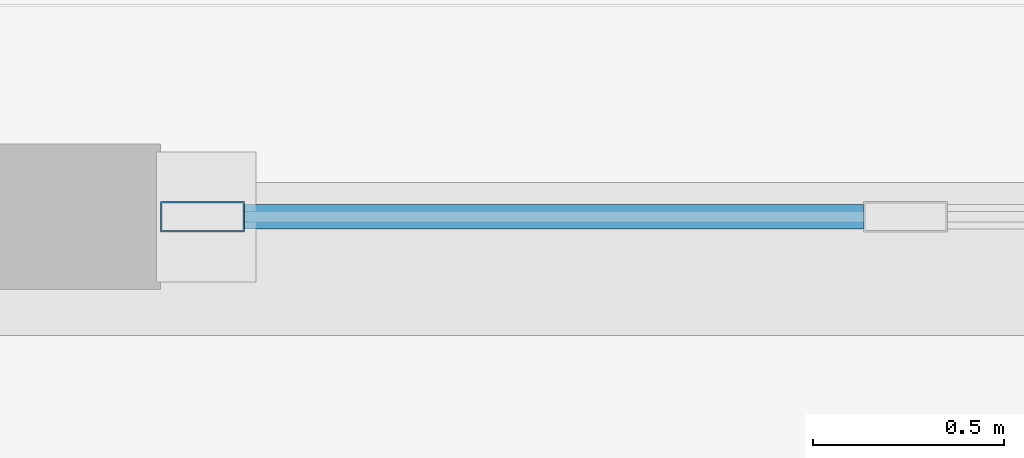
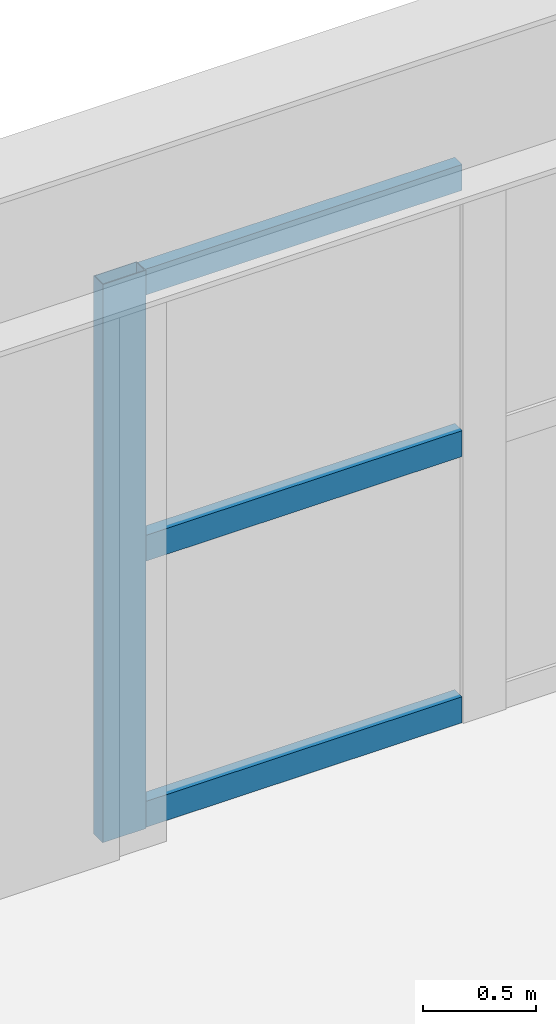
# One storey, part 6 of 22: 4 members, 1 element without a shape of its own.
"""IFC4 building model written with IfcOpenShell, lengths in metres."""

from ifc_helpers import new_model, si_unit, direction, frame, origin, origin_2d, place, context, subcontext, project, spatial, hollow_rectangle, extrude, material, layer, layer_set, material_profile, profile_set, type_object, element, aggregate, save


model = new_model("IFC4")

# Units and contexts
model_context = context("Model", 3, precision=1e-05, world=origin(), true_north=direction((0.0, 1.0)))
body_context = subcontext(model_context, "Body", "Model", "MODEL_VIEW")
ifc_project = project(units=[si_unit("LENGTHUNIT", "METRE"), si_unit("AREAUNIT", "SQUARE_METRE"), si_unit("VOLUMEUNIT", "CUBIC_METRE"), si_unit("PLANEANGLEUNIT", "RADIAN"), si_unit("MASSUNIT", "GRAM", prefix="KILO")], contexts=[model_context])

# Site, building, storey
site_placement = place(None, origin())
site = spatial("IfcSite", under=ifc_project, at=site_placement, CompositionType="ELEMENT")
building_placement = place(site_placement, origin())
building = spatial("IfcBuilding", under=site, at=building_placement, Name="Oramaril Tower", CompositionType="ELEMENT")
storey_placement = place(building_placement, frame((0.0, 0.0, 18.300048828125)))
storey = spatial("IfcBuildingStorey", under=building, at=storey_placement, Name="L04", CompositionType="ELEMENT", Elevation=18.300048828125)

# Curtain wall, members
ifc_material_1 = material(Name="Anodised Aluminium 6063-T6", Category="aluminium")
ifc_layer = layer(ifc_material_1, 0.219970703125)
ifc_layer_set = layer_set([ifc_layer], Name="CWT-SYS2")
curtain_wall_type = type_object("IfcCurtainWallType", Name="CWT-SYS2", PredefinedType="NOTDEFINED", material=ifc_layer_set)
curtain_wall_placement = place(storey_placement, origin())
curtain_wall = element("IfcCurtainWall", 1, at=curtain_wall_placement, inside=storey, type_object=curtain_wall_type, Name="L04 Unitised Curtain Wall CW-2", PredefinedType="NOTDEFINED")
ifc_material_2 = material(Name="Anodised Aluminium 6063-T6", Category="aluminium")
ifc_material_profile_1 = material_profile(ifc_material_2, hollow_rectangle(XDim=0.080078125, YDim=0.219970703125, WallThickness=0.00390625, at=origin_2d()), Name="CWM220X80")
ifc_profile_set_1 = profile_set([ifc_material_profile_1], Name="Anodised Aluminium 6063-T6")
member_type_1 = type_object("IfcMemberType", Name="MT-CWM1", PredefinedType="MULLION", material=ifc_profile_set_1)
member_1_placement = place(storey_placement, frame((33.7099609375, 43.75, 0.0), z_axis=(0.0, 0.0, 1.0), x_axis=(0.0, -1.0, 0.0)))
member_1 = element("IfcMember", 2, at=member_1_placement, type_object=member_type_1, Name="CW-2 mullion 5", PredefinedType="MULLION", context=body_context, shape_type="SweptSolid", body=[
    extrude(hollow_rectangle(XDim=0.080078125, YDim=0.219970703125, WallThickness=0.00390625, at=origin_2d()), origin(), (0.0, 0.0, 1.0), 3.013916015625),
])
ifc_material_3 = material(Name="Anodised Aluminium 6063-T6", Category="aluminium")
ifc_material_profile_2 = material_profile(ifc_material_3, hollow_rectangle(XDim=0.06494140625, YDim=0.139892578125, WallThickness=0.00390625, at=origin_2d()), Name="CWT140X65")
ifc_profile_set_2 = profile_set([ifc_material_profile_2], Name="Anodised Aluminium 6063-T6")
member_type_2 = type_object("IfcMemberType", Name="MT-CWT2", PredefinedType="USERDEFINED", material=ifc_profile_set_2)
member_2_placement = place(storey_placement, frame((35.43994140625, 43.75, 0.070068359375), z_axis=(-1.0, 0.0, 0.0), x_axis=(0.0, -1.0, 0.0)))
member_2 = element("IfcMember", 3, at=member_2_placement, type_object=member_type_2, Name="CW-2 transom 4.1", ObjectType="TRANSOM", PredefinedType="USERDEFINED", context=body_context, shape_type="SweptSolid", body=[
    extrude(hollow_rectangle(XDim=0.06494140625, YDim=0.139892578125, WallThickness=0.00390625, at=origin_2d()), origin(), (0.0, 0.0, 1.0), 1.619873046875),
])
member_3_placement = place(storey_placement, frame((35.43994140625, 43.75, 1.5068359375), z_axis=(-1.0, 0.0, 0.0), x_axis=(0.0, -1.0, 0.0)))
member_3 = element("IfcMember", 4, at=member_3_placement, type_object=member_type_2, Name="CW-2 transom 4.2", ObjectType="TRANSOM", PredefinedType="USERDEFINED", context=body_context, shape_type="SweptSolid", body=[
    extrude(hollow_rectangle(XDim=0.06494140625, YDim=0.139892578125, WallThickness=0.00390625, at=origin_2d()), origin(), (0.0, 0.0, 1.0), 1.619873046875),
])
member_4_placement = place(storey_placement, frame((35.43994140625, 43.75, 2.94384765625), z_axis=(-1.0, 0.0, 0.0), x_axis=(0.0, -1.0, 0.0)))
member_4 = element("IfcMember", 5, at=member_4_placement, type_object=member_type_2, Name="CW-2 transom 4.3", ObjectType="TRANSOM", PredefinedType="USERDEFINED", context=body_context, shape_type="SweptSolid", body=[
    extrude(hollow_rectangle(XDim=0.06494140625, YDim=0.139892578125, WallThickness=0.00390625, at=origin_2d()), origin(), (0.0, 0.0, 1.0), 1.619873046875),
])
aggregate(curtain_wall, [member_1, member_2, member_3, member_4])

save(model, "model.ifc")
